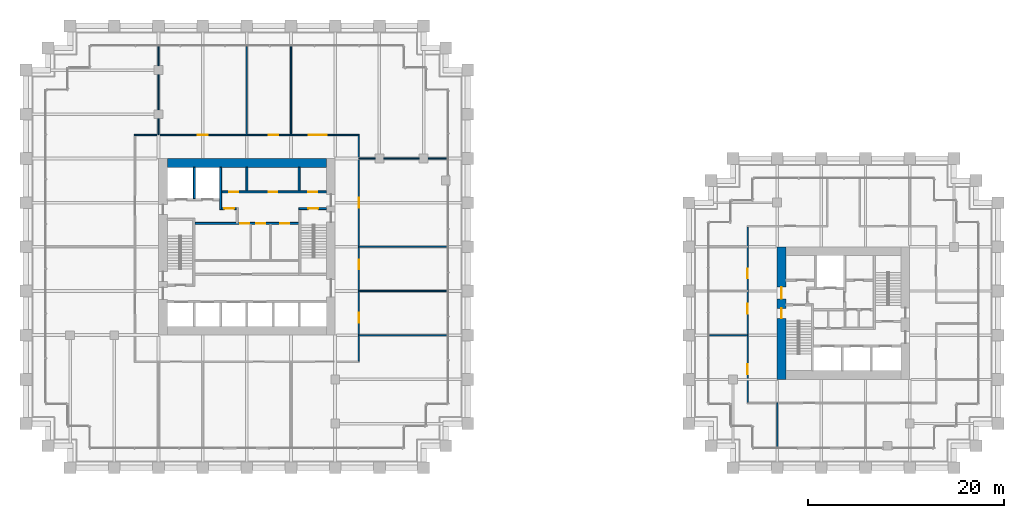
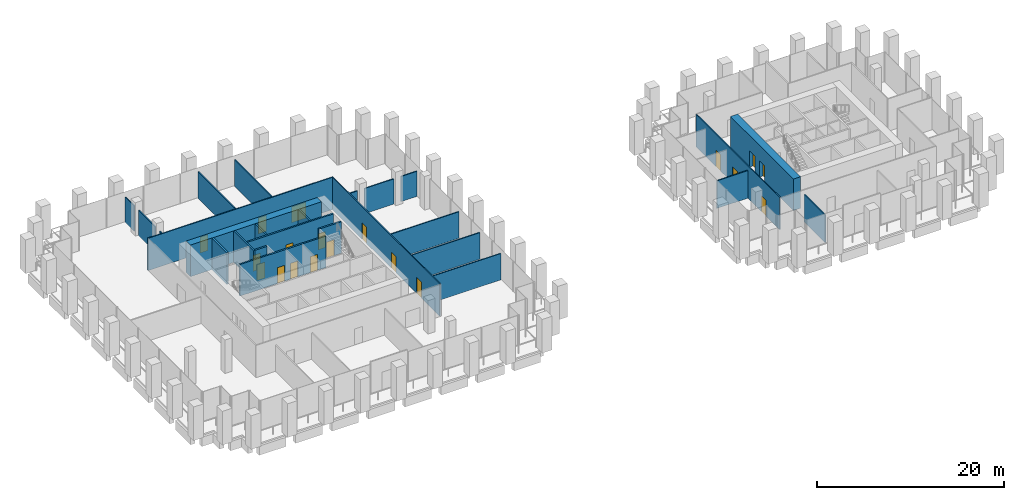
# One storey, part 31 of 36: 26 walls, 19 doors, 19 openings.
"""IFC4 building model written with IfcOpenShell, lengths in metres."""

from ifc_helpers import new_model, si_unit, direction, frame, frame_2d, origin, place, context, subcontext, project, spatial, rectangle, extrude, material, layer, layer_set, type_object, element, fill, save


model = new_model("IFC4")

# Units and contexts
model_context = context("Model", 3, precision=1e-05, world=origin(), true_north=direction((0.0, 1.0)))
body_context = subcontext(model_context, "Body", "Model", "MODEL_VIEW")
ifc_project = project(units=[si_unit("LENGTHUNIT", "METRE"), si_unit("AREAUNIT", "SQUARE_METRE"), si_unit("VOLUMEUNIT", "CUBIC_METRE"), si_unit("PLANEANGLEUNIT", "RADIAN"), si_unit("MASSUNIT", "GRAM", prefix="KILO")], contexts=[model_context])

# Site, building, storey
site_placement = place(None, origin())
site = spatial("IfcSite", under=ifc_project, at=site_placement, CompositionType="ELEMENT")
building_placement = place(site_placement, origin())
building = spatial("IfcBuilding", under=site, at=building_placement, Name="Altepetl Exchange Towers", CompositionType="ELEMENT")
storey_placement = place(building_placement, frame((0.0, 0.0, 38.60009765625)))
storey = spatial("IfcBuildingStorey", under=building, at=storey_placement, Name="L08", CompositionType="ELEMENT", Elevation=38.60009765625)

# Wall
ifc_material_1 = material(Name="Concrete C70/85", Category="concrete")
ifc_layer_1 = layer(ifc_material_1, 0.89990234375)
ifc_layer_set_1 = layer_set([ifc_layer_1], Name="Concrete C70/85")
wall_type_1 = type_object("IfcWallType", Name="Core wall 900 reinforced concrete", PredefinedType="SHEAR", material=ifc_layer_set_1)
wall_1_placement = place(storey_placement, frame((41.39990234375, 58.050048828125, 0.0)))
element("IfcWall", 1, at=wall_1_placement, inside=storey, type_object=wall_type_1, Name="wall:A:L08:K-coreN", PredefinedType="SHEAR", context=body_context, shape_type="SweptSolid", body=[
    extrude(rectangle(XDim=16.2001953125, YDim=0.89990234375, at=frame_2d((8.10009765625, 0.0))), origin(), (0.0, 0.0, 1.0), 4.125),
])

# Wall, openings, doors
wall_2_placement = place(storey_placement, frame((103.949951171875, 36.0, 0.0), z_axis=(0.0, 0.0, 1.0), x_axis=(0.0, 1.0, 0.0)))
wall_2 = element("IfcWall", 2, at=wall_2_placement, inside=storey, type_object=wall_type_1, Name="wall:B:L08:K-coreW", PredefinedType="SHEAR", context=body_context, shape_type="SweptSolid", body=[
    extrude(rectangle(XDim=13.5, YDim=0.89990234375, at=frame_2d((6.75, 0.0))), origin(), (0.0, 0.0, 1.0), 4.125),
])
opening_1_placement = place(wall_2_placement, frame((8.199951171875, 0.0, 0.0)))
opening_1 = element("IfcOpeningElement", 3, at=opening_1_placement, cuts=wall_2, Name="Opening L08.B60", PredefinedType="OPENING", context=body_context, shape_type="SweptSolid", body=[
    extrude(rectangle(XDim=1.199951171875, YDim=2.10009765625, at=frame_2d((0.60009765625, 1.050048828125))), frame((0.0, 0.4599609375, 0.0), z_axis=(0.0, -1.0, 0.0), x_axis=(1.0, 0.0, 0.0)), (0.0, 0.0, 1.0), 0.919921875),
])
opening_2_placement = place(wall_2_placement, frame((6.22509765625, 0.0, 0.0)))
opening_2 = element("IfcOpeningElement", 4, at=opening_2_placement, cuts=wall_2, Name="Opening L08.B63", PredefinedType="OPENING", context=body_context, shape_type="SweptSolid", body=[
    extrude(rectangle(XDim=1.0, YDim=2.10009765625, at=frame_2d((0.5, 1.050048828125))), frame((0.0, 0.4599609375, 0.0), z_axis=(0.0, -1.0, 0.0), x_axis=(1.0, 0.0, 0.0)), (0.0, 0.0, 1.0), 0.919921875),
])
ifc_material_2 = material(Name="Steel and timber fire door", Category="steel")
door_type_1 = type_object("IfcDoorType", Name="Fire door 1000 x 2100 stair and lobby", OperationType="SINGLE_SWING_LEFT", PredefinedType="DOOR", material=ifc_material_2)
door_1_placement = place(opening_2_placement, frame((1.0, 0.0, 0.0), x_axis=(-1.0, 0.0, 0.0)))
door_1 = element("IfcDoor", 5, at=door_1_placement, inside=storey, type_object=door_type_1, Name="door:B:L08:K-dS1x", OperationType="SINGLE_SWING_RIGHT", OverallHeight=2.10009765625, OverallWidth=1.0, PredefinedType="DOOR", context=body_context, shape_type="SweptSolid", body=[
    extrude(rectangle(XDim=1.0, YDim=2.10009765625, at=frame_2d((0.5, 1.050048828125))), frame((0.0, 0.02490234375, 0.0), z_axis=(0.0, -1.0, 0.0), x_axis=(1.0, 0.0, 0.0)), (0.0, 0.0, 1.0), 0.050048828125),
])
fill(opening_2, door_1)
door_type_2 = type_object("IfcDoorType", Name="Fire door 1200 x 2100 lobby entry", OperationType="SINGLE_SWING_LEFT", PredefinedType="DOOR", material=ifc_material_2)
door_2_placement = place(opening_1_placement, frame((1.199951171875, 0.0, 0.0), x_axis=(-1.0, 0.0, 0.0)))
door_2 = element("IfcDoor", 6, at=door_2_placement, inside=storey, type_object=door_type_2, Name="door:B:L08:K-dLNW", OperationType="SINGLE_SWING_RIGHT", OverallHeight=2.10009765625, OverallWidth=1.199951171875, PredefinedType="DOOR", context=body_context, shape_type="SweptSolid", body=[
    extrude(rectangle(XDim=1.199951171875, YDim=2.10009765625, at=frame_2d((0.60009765625, 1.050048828125))), frame((0.0, 0.02490234375, 0.0), z_axis=(0.0, -1.0, 0.0), x_axis=(1.0, 0.0, 0.0)), (0.0, 0.0, 1.0), 0.050048828125),
])
fill(opening_1, door_2)

# Wall, opening, door
ifc_material_3 = material(Name="Concrete blockwork", Category="masonry")
ifc_layer_2 = layer(ifc_material_3, 0.199951171875)
ifc_layer_set_2 = layer_set([ifc_layer_2], Name="Concrete blockwork")
wall_type_2 = type_object("IfcWallType", Name="Lobby wall 200 blockwork", PredefinedType="PARTITIONING", material=ifc_layer_set_2)
wall_3_placement = place(storey_placement, frame((46.933349609375, 53.39990234375, 0.0)))
wall_3 = element("IfcWall", 7, at=wall_3_placement, inside=storey, type_object=wall_type_2, Name="wall:A:L08:K-ffN", PredefinedType="PARTITIONING", context=body_context, shape_type="SweptSolid", body=[
    extrude(rectangle(XDim=1.466552734375, YDim=0.199951171875, at=frame_2d((0.7333984375, 0.0))), origin(), (0.0, 0.0, 1.0), 4.125),
])
opening_3_placement = place(wall_3_placement, frame((0.2666015625, 0.0, 0.0)))
opening_3 = element("IfcOpeningElement", 8, at=opening_3_placement, cuts=wall_3, Name="Opening L08.A67", PredefinedType="OPENING", context=body_context, shape_type="SweptSolid", body=[
    extrude(rectangle(XDim=1.0, YDim=2.10009765625, at=frame_2d((0.5, 1.050048828125))), frame((0.0, 0.10986328125, 0.0), z_axis=(0.0, -1.0, 0.0), x_axis=(1.0, 0.0, 0.0)), (0.0, 0.0, 1.0), 0.219970703125),
])
door_3_placement = place(opening_3_placement, frame((1.0, 0.0, 0.0), x_axis=(-1.0, 0.0, 0.0)))
door_3 = element("IfcDoor", 9, at=door_3_placement, inside=storey, type_object=door_type_1, Name="door:A:L08:K-dffN", OperationType="SINGLE_SWING_RIGHT", OverallHeight=2.10009765625, OverallWidth=1.0, PredefinedType="DOOR", context=body_context, shape_type="SweptSolid", body=[
    extrude(rectangle(XDim=1.0, YDim=2.10009765625, at=frame_2d((0.5, 1.050048828125))), frame((0.0, 0.02490234375, 0.0), z_axis=(0.0, -1.0, 0.0), x_axis=(1.0, 0.0, 0.0)), (0.0, 0.0, 1.0), 0.050048828125),
])
fill(opening_3, door_3)

# Wall, openings, doors
wall_4_placement = place(storey_placement, frame((44.199951171875, 51.89990234375, 0.0)))
wall_4 = element("IfcWall", 10, at=wall_4_placement, inside=storey, type_object=wall_type_2, Name="wall:A:L08:K-zoneN", PredefinedType="PARTITIONING", context=body_context, shape_type="SweptSolid", body=[
    extrude(rectangle(XDim=10.60009765625, YDim=0.199951171875, at=frame_2d((5.300048828125, 0.0))), origin(), (0.0, 0.0, 1.0), 4.125),
])
opening_4_placement = place(wall_4_placement, frame((4.625, 0.0, 0.0)))
opening_4 = element("IfcOpeningElement", 11, at=opening_4_placement, cuts=wall_4, Name="Opening L08.A73", PredefinedType="OPENING", context=body_context, shape_type="SweptSolid", body=[
    extrude(rectangle(XDim=0.89990234375, YDim=2.10009765625, at=frame_2d((0.449951171875, 1.050048828125))), frame((0.0, 0.10986328125, 0.0), z_axis=(0.0, -1.0, 0.0), x_axis=(1.0, 0.0, 0.0)), (0.0, 0.0, 1.0), 0.219970703125),
])
opening_5_placement = place(wall_4_placement, frame((6.25, 0.0, 0.0)))
opening_5 = element("IfcOpeningElement", 12, at=opening_5_placement, cuts=wall_4, Name="Opening L08.A74", PredefinedType="OPENING", context=body_context, shape_type="SweptSolid", body=[
    extrude(rectangle(XDim=0.89990234375, YDim=2.10009765625, at=frame_2d((0.449951171875, 1.050048828125))), frame((0.0, 0.10986328125, 0.0), z_axis=(0.0, -1.0, 0.0), x_axis=(1.0, 0.0, 0.0)), (0.0, 0.0, 1.0), 0.219970703125),
])
opening_6_placement = place(wall_4_placement, frame((8.699951171875, 0.0, 0.0)))
opening_6 = element("IfcOpeningElement", 13, at=opening_6_placement, cuts=wall_4, Name="Opening L08.A75", PredefinedType="OPENING", context=body_context, shape_type="SweptSolid", body=[
    extrude(rectangle(XDim=0.89990234375, YDim=2.10009765625, at=frame_2d((0.449951171875, 1.050048828125))), frame((0.0, 0.10986328125, 0.0), z_axis=(0.0, -1.0, 0.0), x_axis=(1.0, 0.0, 0.0)), (0.0, 0.0, 1.0), 0.219970703125),
])
door_type_3 = type_object("IfcDoorType", Name="Fire door 900 x 2100 service room", OperationType="SINGLE_SWING_LEFT", PredefinedType="DOOR", material=ifc_material_2)
door_4_placement = place(opening_4_placement, frame((0.89990234375, 0.0, 0.0), x_axis=(-1.0, 0.0, 0.0)))
door_4 = element("IfcDoor", 14, at=door_4_placement, inside=storey, type_object=door_type_3, Name="door:A:L08:K-dz2", OperationType="SINGLE_SWING_RIGHT", OverallHeight=2.10009765625, OverallWidth=0.89990234375, PredefinedType="DOOR", context=body_context, shape_type="SweptSolid", body=[
    extrude(rectangle(XDim=0.89990234375, YDim=2.10009765625, at=frame_2d((0.449951171875, 1.050048828125))), frame((0.0, 0.02490234375, 0.0), z_axis=(0.0, -1.0, 0.0), x_axis=(1.0, 0.0, 0.0)), (0.0, 0.0, 1.0), 0.050048828125),
])
fill(opening_4, door_4)
door_5_placement = place(opening_5_placement, frame((0.89990234375, 0.0, 0.0), x_axis=(-1.0, 0.0, 0.0)))
door_5 = element("IfcDoor", 15, at=door_5_placement, inside=storey, type_object=door_type_3, Name="door:A:L08:K-dz3", OperationType="SINGLE_SWING_LEFT", OverallHeight=2.10009765625, OverallWidth=0.89990234375, PredefinedType="DOOR", context=body_context, shape_type="SweptSolid", body=[
    extrude(rectangle(XDim=0.89990234375, YDim=2.10009765625, at=frame_2d((0.449951171875, 1.050048828125))), frame((0.0, 0.02490234375, 0.0), z_axis=(0.0, -1.0, 0.0), x_axis=(1.0, 0.0, 0.0)), (0.0, 0.0, 1.0), 0.050048828125),
])
fill(opening_5, door_5)
door_6_placement = place(opening_6_placement, frame((0.89990234375, 0.0, 0.0), x_axis=(-1.0, 0.0, 0.0)))
door_6 = element("IfcDoor", 16, at=door_6_placement, inside=storey, type_object=door_type_3, Name="door:A:L08:K-dz4", OperationType="SINGLE_SWING_LEFT", OverallHeight=2.10009765625, OverallWidth=0.89990234375, PredefinedType="DOOR", context=body_context, shape_type="SweptSolid", body=[
    extrude(rectangle(XDim=0.89990234375, YDim=2.10009765625, at=frame_2d((0.449951171875, 1.050048828125))), frame((0.0, 0.02490234375, 0.0), z_axis=(0.0, -1.0, 0.0), x_axis=(1.0, 0.0, 0.0)), (0.0, 0.0, 1.0), 0.050048828125),
])
fill(opening_6, door_6)

# Walls
ifc_material_4 = material(Name="Timber panels on aluminium track", Category="wood")
ifc_layer_3 = layer(ifc_material_4, 0.125)
ifc_layer_set_3 = layer_set([ifc_layer_3], Name="Timber panels on aluminium track")
wall_type_3 = type_object("IfcWallType", Name="Operable acoustic partition 125", PredefinedType="MOVABLE", material=ifc_layer_set_3)
wall_5_placement = place(storey_placement, frame((103.5, 29.10009765625, 0.0), z_axis=(0.0, 0.0, 1.0), x_axis=(0.0, 1.0, 0.0)))
element("IfcWall", 17, at=wall_5_placement, inside=storey, type_object=wall_type_3, Name="wall:B:L08:P11", PredefinedType="MOVABLE", context=body_context, shape_type="SweptSolid", body=[
    extrude(rectangle(XDim=4.5, YDim=0.125, at=frame_2d((2.25, 0.0))), origin(), (0.0, 0.0, 1.0), 3.61279296875),
])
ifc_material_5 = material(Name="Gypsum board on steel studs", Category="steel")
ifc_layer_4 = layer(ifc_material_5, 0.125)
ifc_layer_set_4 = layer_set([ifc_layer_4], Name="Gypsum board on steel studs")
wall_type_4 = type_object("IfcWallType", Name="Partition 125 gypsum board on steel studs", PredefinedType="PARTITIONING", material=ifc_layer_set_4)
for number, where, name in (
    (18, (60.89990234375, 40.5, 0.0), "wall:A:L08:P02"),
    (19, (60.89990234375, 45.0, 0.0), "wall:A:L08:P03"),
    (20, (60.89990234375, 49.5, 0.0), "wall:A:L08:P05"),
):
    element("IfcWall", number, at=place(storey_placement, frame(where)), inside=storey, type_object=wall_type_4, Name=name, PredefinedType="PARTITIONING", context=body_context, shape_type="SweptSolid", body=[
        extrude(rectangle(XDim=9.0, YDim=0.125, at=frame_2d((4.5, 0.0))), origin(), (0.0, 0.0, 1.0), 3.466796875),
    ])
wall_6_placement = place(storey_placement, frame((60.89990234375, 58.5, 0.0)))
element("IfcWall", 21, at=wall_6_placement, inside=storey, type_object=wall_type_4, Name="wall:A:L08:P06", PredefinedType="PARTITIONING", context=body_context, shape_type="SweptSolid", body=[
    extrude(rectangle(XDim=1.650146484375, YDim=0.125, at=frame_2d((0.8251953125, 0.0))), origin(), (0.0, 0.0, 1.0), 3.302001953125),
])
wall_7_placement = place(storey_placement, frame((63.449951171875, 58.5, 0.0)))
element("IfcWall", 22, at=wall_7_placement, inside=storey, type_object=wall_type_4, Name="wall:A:L08:P07", PredefinedType="PARTITIONING", context=body_context, shape_type="SweptSolid", body=[
    extrude(rectangle(XDim=3.60009765625, YDim=0.125, at=frame_2d((1.800048828125, 0.0))), origin(), (0.0, 0.0, 1.0), 3.302001953125),
])
wall_8_placement = place(storey_placement, frame((67.949951171875, 58.5, 0.0)))
element("IfcWall", 23, at=wall_8_placement, inside=storey, type_object=wall_type_4, Name="wall:A:L08:P08", PredefinedType="PARTITIONING", context=body_context, shape_type="SweptSolid", body=[
    extrude(rectangle(XDim=1.949951171875, YDim=0.125, at=frame_2d((0.97509765625, 0.0))), origin(), (0.0, 0.0, 1.0), 3.302001953125),
])

# Wall, openings, doors
wall_9_placement = place(storey_placement, frame((38.03759765625, 60.89990234375, 0.0)))
wall_9 = element("IfcWall", 24, at=wall_9_placement, inside=storey, type_object=wall_type_4, Name="wall:A:L08:P09", PredefinedType="PARTITIONING", context=body_context, shape_type="SweptSolid", body=[
    extrude(rectangle(XDim=22.9248046875, YDim=0.125, at=frame_2d((11.46240234375, 0.0))), origin(), (0.0, 0.0, 1.0), 4.224853515625),
])
opening_7_placement = place(wall_9_placement, frame((17.777587890625, 0.0, 0.0)))
opening_7 = element("IfcOpeningElement", 25, at=opening_7_placement, cuts=wall_9, Name="Opening L08.A08", PredefinedType="OPENING", context=body_context, shape_type="SweptSolid", body=[
    extrude(rectangle(XDim=1.800048828125, YDim=2.10009765625, at=frame_2d((0.89990234375, 1.050048828125))), frame((0.0, 0.072509765625, 0.0), z_axis=(0.0, -1.0, 0.0), x_axis=(1.0, 0.0, 0.0)), (0.0, 0.0, 1.0), 0.14501953125),
])
opening_8_placement = place(wall_9_placement, frame((13.66748046875, 0.0, 0.0)))
opening_8 = element("IfcOpeningElement", 26, at=opening_8_placement, cuts=wall_9, Name="Opening L08.A09", PredefinedType="OPENING", context=body_context, shape_type="SweptSolid", body=[
    extrude(rectangle(XDim=1.0, YDim=2.10009765625, at=frame_2d((0.5, 1.050048828125))), frame((0.0, 0.072509765625, 0.0), z_axis=(0.0, -1.0, 0.0), x_axis=(1.0, 0.0, 0.0)), (0.0, 0.0, 1.0), 0.14501953125),
])
opening_9_placement = place(wall_9_placement, frame((6.46240234375, 0.0, 0.0)))
opening_9 = element("IfcOpeningElement", 27, at=opening_9_placement, cuts=wall_9, Name="Opening L08.A10", PredefinedType="OPENING", context=body_context, shape_type="SweptSolid", body=[
    extrude(rectangle(XDim=1.0, YDim=2.10009765625, at=frame_2d((0.5, 1.050048828125))), frame((0.0, 0.072509765625, 0.0), z_axis=(0.0, -1.0, 0.0), x_axis=(1.0, 0.0, 0.0)), (0.0, 0.0, 1.0), 0.14501953125),
])
door_type_4 = type_object("IfcDoorType", Name="Fire door 1000 x 2100 single leaf", OperationType="SINGLE_SWING_LEFT", PredefinedType="DOOR", material=ifc_material_2)
door_7_placement = place(opening_8_placement, origin())
door_7 = element("IfcDoor", 28, at=door_7_placement, inside=storey, type_object=door_type_4, Name="door:A:L08:09", OperationType="SINGLE_SWING_RIGHT", OverallHeight=2.10009765625, OverallWidth=1.0, PredefinedType="DOOR", context=body_context, shape_type="SweptSolid", body=[
    extrude(rectangle(XDim=1.0, YDim=2.10009765625, at=frame_2d((0.5, 1.050048828125))), frame((0.0, 0.02490234375, 0.0), z_axis=(0.0, -1.0, 0.0), x_axis=(1.0, 0.0, 0.0)), (0.0, 0.0, 1.0), 0.050048828125),
])
fill(opening_8, door_7)
door_8_placement = place(opening_9_placement, origin())
door_8 = element("IfcDoor", 29, at=door_8_placement, inside=storey, type_object=door_type_4, Name="door:A:L08:10", OperationType="SINGLE_SWING_RIGHT", OverallHeight=2.10009765625, OverallWidth=1.0, PredefinedType="DOOR", context=body_context, shape_type="SweptSolid", body=[
    extrude(rectangle(XDim=1.0, YDim=2.10009765625, at=frame_2d((0.5, 1.050048828125))), frame((0.0, 0.02490234375, 0.0), z_axis=(0.0, -1.0, 0.0), x_axis=(1.0, 0.0, 0.0)), (0.0, 0.0, 1.0), 0.050048828125),
])
fill(opening_9, door_8)
door_type_5 = type_object("IfcDoorType", Name="Fire door 1800 x 2100 double leaf", OperationType="DOUBLE_DOOR_SINGLE_SWING", PredefinedType="DOOR", material=ifc_material_2)
door_9_placement = place(opening_7_placement, origin())
door_9 = element("IfcDoor", 30, at=door_9_placement, inside=storey, type_object=door_type_5, Name="door:A:L08:08", OperationType="DOUBLE_DOOR_SINGLE_SWING", OverallHeight=2.10009765625, OverallWidth=1.800048828125, PredefinedType="DOOR", context=body_context, shape_type="SweptSolid", body=[
    extrude(rectangle(XDim=1.800048828125, YDim=2.10009765625, at=frame_2d((0.89990234375, 1.050048828125))), frame((0.0, 0.02490234375, 0.0), z_axis=(0.0, -1.0, 0.0), x_axis=(1.0, 0.0, 0.0)), (0.0, 0.0, 1.0), 0.050048828125),
])
fill(opening_7, door_9)

# Walls
wall_10_placement = place(storey_placement, frame((40.5, 60.89990234375, 0.0), z_axis=(0.0, 0.0, 1.0), x_axis=(0.0, 1.0, 0.0)))
element("IfcWall", 31, at=wall_10_placement, inside=storey, type_object=wall_type_4, Name="wall:A:L08:P12", PredefinedType="PARTITIONING", context=body_context, shape_type="SweptSolid", body=[
    extrude(rectangle(XDim=1.650146484375, YDim=0.125, at=frame_2d((0.8251953125, 0.0))), origin(), (0.0, 0.0, 1.0), 3.302001953125),
])
wall_11_placement = place(storey_placement, frame((40.5, 63.449951171875, 0.0), z_axis=(0.0, 0.0, 1.0), x_axis=(0.0, 1.0, 0.0)))
element("IfcWall", 32, at=wall_11_placement, inside=storey, type_object=wall_type_4, Name="wall:A:L08:P13", PredefinedType="PARTITIONING", context=body_context, shape_type="SweptSolid", body=[
    extrude(rectangle(XDim=3.60009765625, YDim=0.125, at=frame_2d((1.800048828125, 0.0))), origin(), (0.0, 0.0, 1.0), 3.302001953125),
])
wall_12_placement = place(storey_placement, frame((40.5, 67.949951171875, 0.0), z_axis=(0.0, 0.0, 1.0), x_axis=(0.0, 1.0, 0.0)))
element("IfcWall", 33, at=wall_12_placement, inside=storey, type_object=wall_type_4, Name="wall:A:L08:P14", PredefinedType="PARTITIONING", context=body_context, shape_type="SweptSolid", body=[
    extrude(rectangle(XDim=1.949951171875, YDim=0.125, at=frame_2d((0.97509765625, 0.0))), origin(), (0.0, 0.0, 1.0), 3.302001953125),
])
for number, where, z_axis, x_axis, name in (
    (34, (49.5, 60.89990234375, 0.0), (0.0, 0.0, 1.0), (0.0, 1.0, 0.0), "wall:A:L08:P16"),
    (35, (54.0, 60.89990234375, 0.0), (0.0, 0.0, 1.0), (0.0, 1.0, 0.0), "wall:A:L08:P18"),
):
    element("IfcWall", number, at=place(storey_placement, frame(where, z_axis=z_axis, x_axis=x_axis)), inside=storey, type_object=wall_type_4, Name=name, PredefinedType="PARTITIONING", context=body_context, shape_type="SweptSolid", body=[
        extrude(rectangle(XDim=9.0, YDim=0.125, at=frame_2d((4.5, 0.0))), origin(), (0.0, 0.0, 1.0), 3.466796875),
    ])

# Wall, openings, doors
wall_13_placement = place(storey_placement, frame((60.89990234375, 37.862548828125, 0.0), z_axis=(0.0, 0.0, 1.0), x_axis=(0.0, 1.0, 0.0)))
wall_13 = element("IfcWall", 36, at=wall_13_placement, inside=storey, type_object=wall_type_4, Name="wall:A:L08:P19", PredefinedType="PARTITIONING", context=body_context, shape_type="SweptSolid", body=[
    extrude(rectangle(XDim=22.974853515625, YDim=0.125, at=frame_2d((11.4873046875, 0.0))), origin(), (0.0, 0.0, 1.0), 4.224853515625),
])
opening_10_placement = place(wall_13_placement, frame((3.9326171875, 0.0, 0.0)))
opening_10 = element("IfcOpeningElement", 37, at=opening_10_placement, cuts=wall_13, Name="Opening L08.A05", PredefinedType="OPENING", context=body_context, shape_type="SweptSolid", body=[
    extrude(rectangle(XDim=1.0, YDim=2.10009765625, at=frame_2d((0.5, 1.050048828125))), frame((0.0, 0.072509765625, 0.0), z_axis=(0.0, -1.0, 0.0), x_axis=(1.0, 0.0, 0.0)), (0.0, 0.0, 1.0), 0.14501953125),
])
opening_11_placement = place(wall_13_placement, frame((9.342529296875, 0.0, 0.0)))
opening_11 = element("IfcOpeningElement", 38, at=opening_11_placement, cuts=wall_13, Name="Opening L08.A06", PredefinedType="OPENING", context=body_context, shape_type="SweptSolid", body=[
    extrude(rectangle(XDim=1.0, YDim=2.10009765625, at=frame_2d((0.5, 1.050048828125))), frame((0.0, 0.072509765625, 0.0), z_axis=(0.0, -1.0, 0.0), x_axis=(1.0, 0.0, 0.0)), (0.0, 0.0, 1.0), 0.14501953125),
])
opening_12_placement = place(wall_13_placement, frame((15.637451171875, 0.0, 0.0)))
opening_12 = element("IfcOpeningElement", 39, at=opening_12_placement, cuts=wall_13, Name="Opening L08.A07", PredefinedType="OPENING", context=body_context, shape_type="SweptSolid", body=[
    extrude(rectangle(XDim=1.0, YDim=2.10009765625, at=frame_2d((0.5, 1.050048828125))), frame((0.0, 0.072509765625, 0.0), z_axis=(0.0, -1.0, 0.0), x_axis=(1.0, 0.0, 0.0)), (0.0, 0.0, 1.0), 0.14501953125),
])
door_10_placement = place(opening_10_placement, frame((1.0, 0.0, 0.0), x_axis=(-1.0, 0.0, 0.0)))
door_10 = element("IfcDoor", 40, at=door_10_placement, inside=storey, type_object=door_type_4, Name="door:A:L08:05", OperationType="SINGLE_SWING_LEFT", OverallHeight=2.10009765625, OverallWidth=1.0, PredefinedType="DOOR", context=body_context, shape_type="SweptSolid", body=[
    extrude(rectangle(XDim=1.0, YDim=2.10009765625, at=frame_2d((0.5, 1.050048828125))), frame((0.0, 0.02490234375, 0.0), z_axis=(0.0, -1.0, 0.0), x_axis=(1.0, 0.0, 0.0)), (0.0, 0.0, 1.0), 0.050048828125),
])
fill(opening_10, door_10)
door_11_placement = place(opening_11_placement, frame((1.0, 0.0, 0.0), x_axis=(-1.0, 0.0, 0.0)))
door_11 = element("IfcDoor", 41, at=door_11_placement, inside=storey, type_object=door_type_4, Name="door:A:L08:06", OperationType="SINGLE_SWING_RIGHT", OverallHeight=2.10009765625, OverallWidth=1.0, PredefinedType="DOOR", context=body_context, shape_type="SweptSolid", body=[
    extrude(rectangle(XDim=1.0, YDim=2.10009765625, at=frame_2d((0.5, 1.050048828125))), frame((0.0, 0.02490234375, 0.0), z_axis=(0.0, -1.0, 0.0), x_axis=(1.0, 0.0, 0.0)), (0.0, 0.0, 1.0), 0.050048828125),
])
fill(opening_11, door_11)
door_12_placement = place(opening_12_placement, frame((1.0, 0.0, 0.0), x_axis=(-1.0, 0.0, 0.0)))
door_12 = element("IfcDoor", 42, at=door_12_placement, inside=storey, type_object=door_type_4, Name="door:A:L08:07", OperationType="SINGLE_SWING_RIGHT", OverallHeight=2.10009765625, OverallWidth=1.0, PredefinedType="DOOR", context=body_context, shape_type="SweptSolid", body=[
    extrude(rectangle(XDim=1.0, YDim=2.10009765625, at=frame_2d((0.5, 1.050048828125))), frame((0.0, 0.02490234375, 0.0), z_axis=(0.0, -1.0, 0.0), x_axis=(1.0, 0.0, 0.0)), (0.0, 0.0, 1.0), 0.050048828125),
])
fill(opening_12, door_12)

# Wall
wall_14_placement = place(storey_placement, frame((96.60009765625, 40.5, 0.0)))
element("IfcWall", 43, at=wall_14_placement, inside=storey, type_object=wall_type_4, Name="wall:B:L08:P03", PredefinedType="PARTITIONING", context=body_context, shape_type="SweptSolid", body=[
    extrude(rectangle(XDim=3.89990234375, YDim=0.125, at=frame_2d((1.949951171875, 0.0))), origin(), (0.0, 0.0, 1.0), 3.61279296875),
])

# Wall, openings, doors
wall_15_placement = place(storey_placement, frame((100.5, 33.66259765625, 0.0), z_axis=(0.0, 0.0, 1.0), x_axis=(0.0, 1.0, 0.0)))
wall_15 = element("IfcWall", 44, at=wall_15_placement, inside=storey, type_object=wall_type_4, Name="wall:B:L08:P10", PredefinedType="PARTITIONING", context=body_context, shape_type="SweptSolid", body=[
    extrude(rectangle(XDim=17.875, YDim=0.125, at=frame_2d((8.9375, 0.0))), origin(), (0.0, 0.0, 1.0), 4.224853515625),
])
opening_13_placement = place(wall_15_placement, frame((2.887451171875, 0.0, 0.0)))
opening_13 = element("IfcOpeningElement", 45, at=opening_13_placement, cuts=wall_15, Name="Opening L08.B01", PredefinedType="OPENING", context=body_context, shape_type="SweptSolid", body=[
    extrude(rectangle(XDim=1.0, YDim=2.10009765625, at=frame_2d((0.5, 1.050048828125))), frame((0.0, 0.072509765625, 0.0), z_axis=(0.0, -1.0, 0.0), x_axis=(1.0, 0.0, 0.0)), (0.0, 0.0, 1.0), 0.14501953125),
])
opening_14_placement = place(wall_15_placement, frame((12.632568359375, 0.0, 0.0)))
opening_14 = element("IfcOpeningElement", 46, at=opening_14_placement, cuts=wall_15, Name="Opening L08.B08", PredefinedType="OPENING", context=body_context, shape_type="SweptSolid", body=[
    extrude(rectangle(XDim=1.0, YDim=2.10009765625, at=frame_2d((0.5, 1.050048828125))), frame((0.0, 0.072509765625, 0.0), z_axis=(0.0, -1.0, 0.0), x_axis=(1.0, 0.0, 0.0)), (0.0, 0.0, 1.0), 0.14501953125),
])
opening_15_placement = place(wall_15_placement, frame((9.04248046875, 0.0, 0.0)))
opening_15 = element("IfcOpeningElement", 47, at=opening_15_placement, cuts=wall_15, Name="Opening L08.B09", PredefinedType="OPENING", context=body_context, shape_type="SweptSolid", body=[
    extrude(rectangle(XDim=1.0, YDim=2.10009765625, at=frame_2d((0.5, 1.050048828125))), frame((0.0, 0.072509765625, 0.0), z_axis=(0.0, -1.0, 0.0), x_axis=(1.0, 0.0, 0.0)), (0.0, 0.0, 1.0), 0.14501953125),
])
door_13_placement = place(opening_13_placement, origin())
door_13 = element("IfcDoor", 48, at=door_13_placement, inside=storey, type_object=door_type_4, Name="door:B:L08:01", OperationType="SINGLE_SWING_RIGHT", OverallHeight=2.10009765625, OverallWidth=1.0, PredefinedType="DOOR", context=body_context, shape_type="SweptSolid", body=[
    extrude(rectangle(XDim=1.0, YDim=2.10009765625, at=frame_2d((0.5, 1.050048828125))), frame((0.0, 0.02490234375, 0.0), z_axis=(0.0, -1.0, 0.0), x_axis=(1.0, 0.0, 0.0)), (0.0, 0.0, 1.0), 0.050048828125),
])
fill(opening_13, door_13)
door_14_placement = place(opening_14_placement, origin())
door_14 = element("IfcDoor", 49, at=door_14_placement, inside=storey, type_object=door_type_4, Name="door:B:L08:08", OperationType="SINGLE_SWING_LEFT", OverallHeight=2.10009765625, OverallWidth=1.0, PredefinedType="DOOR", context=body_context, shape_type="SweptSolid", body=[
    extrude(rectangle(XDim=1.0, YDim=2.10009765625, at=frame_2d((0.5, 1.050048828125))), frame((0.0, 0.02490234375, 0.0), z_axis=(0.0, -1.0, 0.0), x_axis=(1.0, 0.0, 0.0)), (0.0, 0.0, 1.0), 0.050048828125),
])
fill(opening_14, door_14)
door_15_placement = place(opening_15_placement, origin())
door_15 = element("IfcDoor", 50, at=door_15_placement, inside=storey, type_object=door_type_4, Name="door:B:L08:09", OperationType="SINGLE_SWING_RIGHT", OverallHeight=2.10009765625, OverallWidth=1.0, PredefinedType="DOOR", context=body_context, shape_type="SweptSolid", body=[
    extrude(rectangle(XDim=1.0, YDim=2.10009765625, at=frame_2d((0.5, 1.050048828125))), frame((0.0, 0.02490234375, 0.0), z_axis=(0.0, -1.0, 0.0), x_axis=(1.0, 0.0, 0.0)), (0.0, 0.0, 1.0), 0.050048828125),
])
fill(opening_15, door_15)

# Walls
ifc_material_6 = material(Name="Concrete C40/50", Category="concrete")
ifc_layer_5 = layer(ifc_material_6, 0.199951171875)
ifc_layer_set_5 = layer_set([ifc_layer_5], Name="Concrete C40/50")
wall_type_5 = type_object("IfcWallType", Name="Shaft wall 200 reinforced concrete", PredefinedType="SHEAR", material=ifc_layer_set_5)
wall_16_placement = place(storey_placement, frame((44.166748046875, 57.60009765625, 0.0), z_axis=(0.0, 0.0, 1.0), x_axis=(0.0, -1.0, 0.0)))
element("IfcWall", 51, at=wall_16_placement, inside=storey, type_object=wall_type_5, Name="wall:A:L08:K-divN1", PredefinedType="SHEAR", context=body_context, shape_type="SweptSolid", body=[
    extrude(rectangle(XDim=3.2001953125, YDim=0.199951171875, at=frame_2d((1.60009765625, 0.0))), origin(), (0.0, 0.0, 1.0), 4.125),
])
wall_17_placement = place(storey_placement, frame((46.833251953125, 57.60009765625, 0.0), z_axis=(0.0, 0.0, 1.0), x_axis=(0.0, -1.0, 0.0)))
element("IfcWall", 52, at=wall_17_placement, inside=storey, type_object=wall_type_5, Name="wall:A:L08:K-divN2", PredefinedType="SHEAR", context=body_context, shape_type="SweptSolid", body=[
    extrude(rectangle(XDim=4.300048828125, YDim=0.199951171875, at=frame_2d((2.14990234375, 0.0))), origin(), (0.0, 0.0, 1.0), 4.125),
])
for number, where, z_axis, x_axis, name in (
    (53, (49.5, 57.60009765625, 0.0), (0.0, 0.0, 1.0), (0.0, -1.0, 0.0), "wall:A:L08:K-divN3"),
    (54, (54.833251953125, 57.60009765625, 0.0), (0.0, 0.0, 1.0), (0.0, -1.0, 0.0), "wall:A:L08:K-divN5"),
):
    element("IfcWall", number, at=place(storey_placement, frame(where, z_axis=z_axis, x_axis=x_axis)), inside=storey, type_object=wall_type_5, Name=name, PredefinedType="SHEAR", context=body_context, shape_type="SweptSolid", body=[
        extrude(rectangle(XDim=2.400146484375, YDim=0.199951171875, at=frame_2d((1.2001953125, 0.0))), origin(), (0.0, 0.0, 1.0), 4.125),
    ])

# Wall, openings, doors
wall_18_placement = place(storey_placement, frame((46.933349609375, 55.10009765625, 0.0)))
wall_18 = element("IfcWall", 55, at=wall_18_placement, inside=storey, type_object=wall_type_5, Name="wall:A:L08:K-frontNb", PredefinedType="SHEAR", context=body_context, shape_type="SweptSolid", body=[
    extrude(rectangle(XDim=10.666748046875, YDim=0.199951171875, at=frame_2d((5.33349609375, 0.0))), origin(), (0.0, 0.0, 1.0), 4.125),
])
opening_16_placement = place(wall_18_placement, frame((8.83349609375, 0.0, 0.0)))
opening_16 = element("IfcOpeningElement", 56, at=opening_16_placement, cuts=wall_18, Name="Opening L08.A69", PredefinedType="OPENING", context=body_context, shape_type="SweptSolid", body=[
    extrude(rectangle(XDim=0.89990234375, YDim=2.10009765625, at=frame_2d((0.449951171875, 1.050048828125))), frame((0.0, 0.10986328125, 0.0), z_axis=(0.0, -1.0, 0.0), x_axis=(1.0, 0.0, 0.0)), (0.0, 0.0, 1.0), 0.219970703125),
])
opening_17_placement = place(wall_18_placement, frame((0.783447265625, 0.0, 0.0)))
opening_17 = element("IfcOpeningElement", 57, at=opening_17_placement, cuts=wall_18, Name="Opening L08.A70", PredefinedType="OPENING", context=body_context, shape_type="SweptSolid", body=[
    extrude(rectangle(XDim=0.89990234375, YDim=2.10009765625, at=frame_2d((0.449951171875, 1.050048828125))), frame((0.0, 0.10986328125, 0.0), z_axis=(0.0, -1.0, 0.0), x_axis=(1.0, 0.0, 0.0)), (0.0, 0.0, 1.0), 0.219970703125),
])
opening_18_placement = place(wall_18_placement, frame((4.783447265625, 0.0, 0.0)))
opening_18 = element("IfcOpeningElement", 58, at=opening_18_placement, cuts=wall_18, Name="Opening L08.A71", PredefinedType="OPENING", context=body_context, shape_type="SweptSolid", body=[
    extrude(rectangle(XDim=0.89990234375, YDim=2.10009765625, at=frame_2d((0.449951171875, 1.050048828125))), frame((0.0, 0.10986328125, 0.0), z_axis=(0.0, -1.0, 0.0), x_axis=(1.0, 0.0, 0.0)), (0.0, 0.0, 1.0), 0.219970703125),
])
door_16_placement = place(opening_16_placement, origin())
door_16 = element("IfcDoor", 59, at=door_16_placement, inside=storey, type_object=door_type_3, Name="door:A:L08:K-driser", OperationType="SINGLE_SWING_RIGHT", OverallHeight=2.10009765625, OverallWidth=0.89990234375, PredefinedType="DOOR", context=body_context, shape_type="SweptSolid", body=[
    extrude(rectangle(XDim=0.89990234375, YDim=2.10009765625, at=frame_2d((0.449951171875, 1.050048828125))), frame((0.0, 0.02490234375, 0.0), z_axis=(0.0, -1.0, 0.0), x_axis=(1.0, 0.0, 0.0)), (0.0, 0.0, 1.0), 0.050048828125),
])
fill(opening_16, door_16)
door_17_placement = place(opening_17_placement, origin())
door_17 = element("IfcDoor", 60, at=door_17_placement, inside=storey, type_object=door_type_3, Name="door:A:L08:K-dslotN2", OperationType="SINGLE_SWING_RIGHT", OverallHeight=2.10009765625, OverallWidth=0.89990234375, PredefinedType="DOOR", context=body_context, shape_type="SweptSolid", body=[
    extrude(rectangle(XDim=0.89990234375, YDim=2.10009765625, at=frame_2d((0.449951171875, 1.050048828125))), frame((0.0, 0.02490234375, 0.0), z_axis=(0.0, -1.0, 0.0), x_axis=(1.0, 0.0, 0.0)), (0.0, 0.0, 1.0), 0.050048828125),
])
fill(opening_17, door_17)
door_18_placement = place(opening_18_placement, origin())
door_18 = element("IfcDoor", 61, at=door_18_placement, inside=storey, type_object=door_type_3, Name="door:A:L08:K-dslotN3", OperationType="SINGLE_SWING_RIGHT", OverallHeight=2.10009765625, OverallWidth=0.89990234375, PredefinedType="DOOR", context=body_context, shape_type="SweptSolid", body=[
    extrude(rectangle(XDim=0.89990234375, YDim=2.10009765625, at=frame_2d((0.449951171875, 1.050048828125))), frame((0.0, 0.02490234375, 0.0), z_axis=(0.0, -1.0, 0.0), x_axis=(1.0, 0.0, 0.0)), (0.0, 0.0, 1.0), 0.050048828125),
])
fill(opening_18, door_18)

# Wall, opening, door
ifc_layer_6 = layer(ifc_material_6, 0.199951171875)
ifc_layer_set_6 = layer_set([ifc_layer_6], Name="Concrete C40/50")
wall_type_6 = type_object("IfcWallType", Name="Stair wall 200 reinforced concrete", PredefinedType="SHEAR", material=ifc_layer_set_6)
wall_19_placement = place(storey_placement, frame((54.800048828125, 53.39990234375, 0.0)))
wall_19 = element("IfcWall", 62, at=wall_19_placement, inside=storey, type_object=wall_type_6, Name="wall:A:L08:K-stS2N", PredefinedType="SHEAR", context=body_context, shape_type="SweptSolid", body=[
    extrude(rectangle(XDim=2.800048828125, YDim=0.199951171875, at=frame_2d((1.39990234375, 0.0))), origin(), (0.0, 0.0, 1.0), 4.125),
])
opening_19_placement = place(wall_19_placement, frame((0.949951171875, 0.0, 0.0)))
opening_19 = element("IfcOpeningElement", 63, at=opening_19_placement, cuts=wall_19, Name="Opening L08.A65", PredefinedType="OPENING", context=body_context, shape_type="SweptSolid", body=[
    extrude(rectangle(XDim=1.0, YDim=2.10009765625, at=frame_2d((0.5, 1.050048828125))), frame((0.0, 0.10986328125, 0.0), z_axis=(0.0, -1.0, 0.0), x_axis=(1.0, 0.0, 0.0)), (0.0, 0.0, 1.0), 0.219970703125),
])
door_19_placement = place(opening_19_placement, frame((1.0, 0.0, 0.0), x_axis=(-1.0, 0.0, 0.0)))
door_19 = element("IfcDoor", 64, at=door_19_placement, inside=storey, type_object=door_type_1, Name="door:A:L08:K-dS2in", OperationType="SINGLE_SWING_LEFT", OverallHeight=2.10009765625, OverallWidth=1.0, PredefinedType="DOOR", context=body_context, shape_type="SweptSolid", body=[
    extrude(rectangle(XDim=1.0, YDim=2.10009765625, at=frame_2d((0.5, 1.050048828125))), frame((0.0, 0.02490234375, 0.0), z_axis=(0.0, -1.0, 0.0), x_axis=(1.0, 0.0, 0.0)), (0.0, 0.0, 1.0), 0.050048828125),
])
fill(opening_19, door_19)

save(model, "model.ifc")
